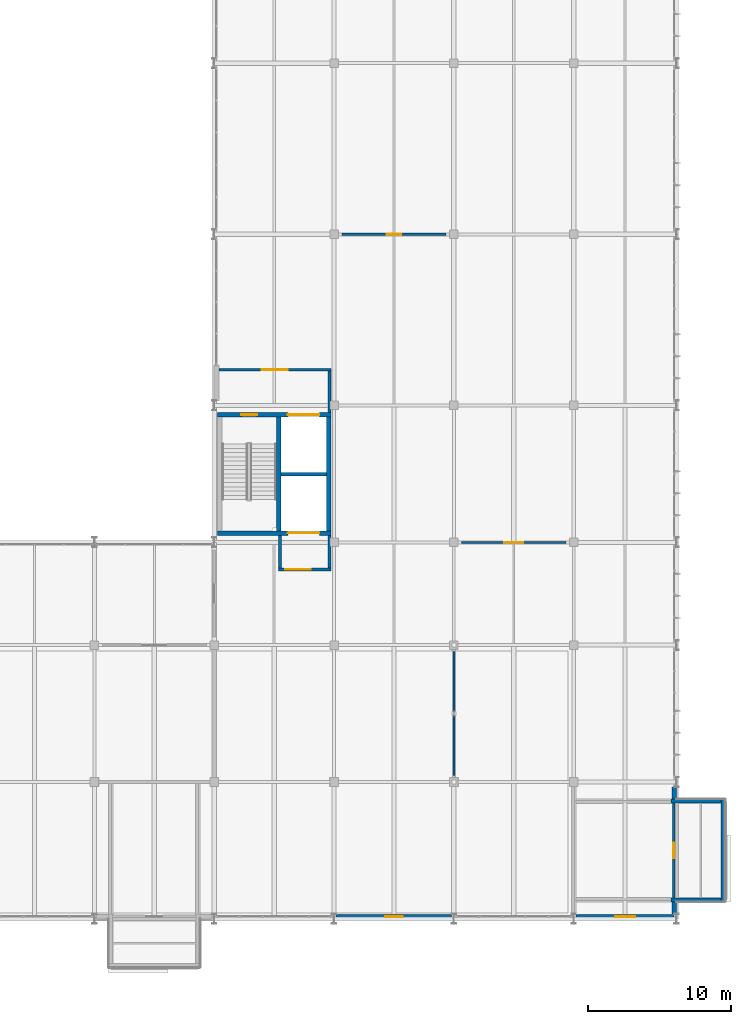
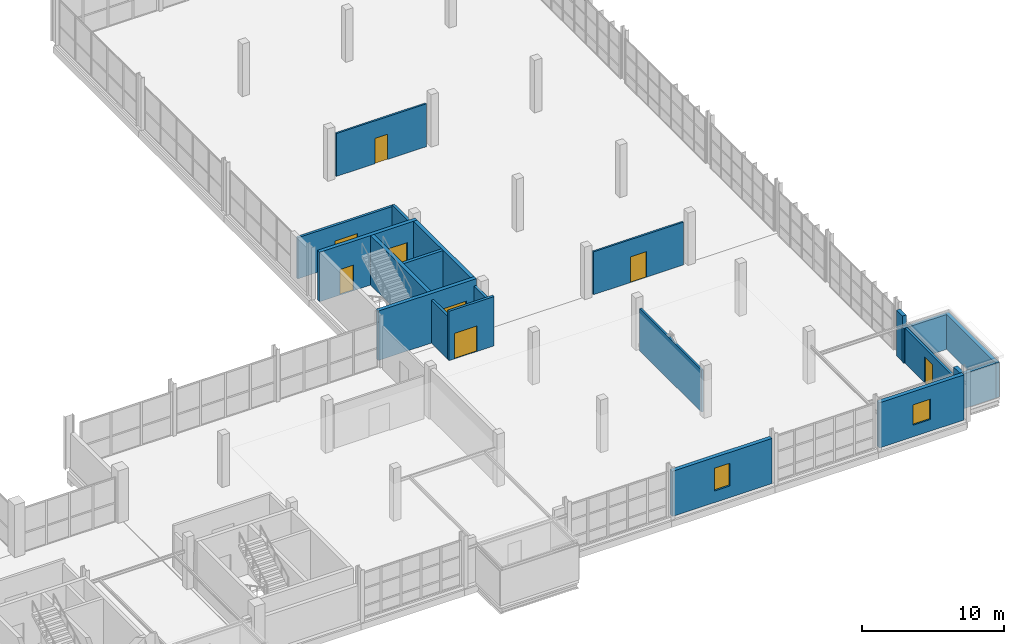
# One storey, part 103 of 113: 21 walls, 8 doors, 2 windows, 10 openings.
"""IFC4 building model written with IfcOpenShell, lengths in metres."""

import ifcopenshell
import ifcopenshell.guid

model = None  # the IFC model being written
_history = None  # IfcOwnerHistory: only IFC2X3 demands one
_inside = {}  # id of a spatial element -> (the spatial element, [elements in it])
_under = {}  # id of a project, library or spatial element -> (it, [spatial elements below it])
_declared = {}  # id of a project -> (the project, [libraries it declares])
_typed = {}  # id of a type object -> (the type object, [elements of that type])
_made_of = {}  # id of a material, layer set ... -> (it, [elements and type objects made of it])


def new_model(schema):
    """Start an empty IFC model of exactly this schema.

    Asked for "IFC4X3", IfcOpenShell would pick the latest addendum, in which some entities
    have other attributes; the version numbers below select the first issue.
    IFC2X3 requires an IfcOwnerHistory on every rooted entity: one is made here for all.
    """
    global model, _history
    if schema == "IFC4X3":
        model = ifcopenshell.file(schema_version=(4, 3, 0, 0))
    else:
        model = ifcopenshell.file(schema=schema)
    _inside.clear()
    _under.clear()
    _declared.clear()
    _typed.clear()
    _made_of.clear()
    _history = None
    if model.schema == "IFC2X3":
        org = make("IfcOrganization", Name="unknown")
        user = make(
            "IfcPersonAndOrganization",
            ThePerson=make("IfcPerson", FamilyName="unknown"),
            TheOrganization=org,
        )
        app = make(
            "IfcApplication",
            ApplicationDeveloper=org,
            Version="unknown",
            ApplicationFullName="unknown",
            ApplicationIdentifier="unknown",
        )
        _history = make(
            "IfcOwnerHistory",
            OwningUser=user,
            OwningApplication=app,
            ChangeAction="ADDED",
            CreationDate=0,
        )
    return model


def make(cls, **values):
    """One entity of the class cls with the attributes given. An attribute that is None is left unset."""
    return model.create_entity(
        cls, **{name: value for name, value in values.items() if value is not None}
    )


def rooted(cls, **values):
    """An entity with a GlobalId (a new one), such as an element, a storey or a relation."""
    return make(cls, GlobalId=ifcopenshell.guid.new(), OwnerHistory=_history, **values)


def si_unit(unit_type, name, prefix=None):
    """IfcSIUnit, for example si_unit("LENGTHUNIT", "METRE", prefix="MILLI")."""
    return make("IfcSIUnit", UnitType=unit_type, Prefix=prefix, Name=name)


def assignment(units):
    """IfcUnitAssignment: the units of a project."""
    return None if units is None else make("IfcUnitAssignment", Units=units)


def point(xyz):
    """IfcCartesianPoint."""
    return None if xyz is None else make("IfcCartesianPoint", Coordinates=xyz)


def direction(xyz):
    """IfcDirection."""
    return None if xyz is None else make("IfcDirection", DirectionRatios=xyz)


def frame(location, z_axis=None, x_axis=None):
    """IfcAxis2Placement3D, a coordinate frame: its origin and axes. An axis left out is left unset."""
    return make(
        "IfcAxis2Placement3D",
        Location=point(location),
        Axis=direction(z_axis),
        RefDirection=direction(x_axis),
    )


def frame_2d(location, x_axis=None):
    """IfcAxis2Placement2D, a coordinate frame in the plane: its origin and x axis."""
    return make(
        "IfcAxis2Placement2D", Location=point(location), RefDirection=direction(x_axis)
    )


def origin():
    """The frame at (0, 0, 0) with its axes left unset."""
    return frame((0.0, 0.0, 0.0))


def place(relative_to, where):
    """IfcLocalPlacement: puts the frame where relative to a parent placement (None: the world)."""
    return make(
        "IfcLocalPlacement", PlacementRelTo=relative_to, RelativePlacement=where
    )


def context(
    kind, dimensions, precision=None, world=None, true_north=None, identifier=None
):
    """IfcGeometricRepresentationContext, for example the 3D "Model" context."""
    return make(
        "IfcGeometricRepresentationContext",
        ContextIdentifier=identifier,
        ContextType=kind,
        CoordinateSpaceDimension=dimensions,
        Precision=precision,
        WorldCoordinateSystem=world,
        TrueNorth=true_north,
    )


def subcontext(parent, identifier, kind, view, scale=None):
    """IfcGeometricRepresentationSubContext, for example "Body" below "Model"."""
    return make(
        "IfcGeometricRepresentationSubContext",
        ContextIdentifier=identifier,
        ContextType=kind,
        ParentContext=parent,
        TargetScale=scale,
        TargetView=view,
    )


def project(units=None, contexts=None):
    """IfcProject with its units and contexts."""
    return rooted(
        "IfcProject",
        Name="project",
        RepresentationContexts=contexts,
        UnitsInContext=assignment(units),
    )


def spatial(cls, under=None, at=None, **own):
    """A site, building, storey or space (cls), placed at a placement, below another one or the project."""
    s = rooted(cls, ObjectPlacement=at, **own)
    if under is not None:
        _under.setdefault(under.id(), (under, []))[1].append(s)
    return s


def profile(cls, at=None, kind="AREA", **sizes):
    """A parametric profile (cls). Its sizes go by their IFC names, for example OverallWidth=200.0."""
    return make(cls, ProfileType=kind, Position=at, **sizes)


def rectangle(**sizes):
    """IfcRectangleProfileDef."""
    return profile("IfcRectangleProfileDef", **sizes)


def extrude(swept, where, along, depth):
    """IfcExtrudedAreaSolid: the profile swept, set in the frame where, extruded along a direction by depth."""
    return make(
        "IfcExtrudedAreaSolid",
        SweptArea=swept,
        Position=where,
        ExtrudedDirection=direction(along),
        Depth=depth,
    )


def shape(context_of_items, identifier, shape_type, items):
    """IfcShapeRepresentation: the items that make up one representation, for example the "Body"."""
    return make(
        "IfcShapeRepresentation",
        ContextOfItems=context_of_items,
        RepresentationIdentifier=identifier,
        RepresentationType=shape_type,
        Items=items,
    )


def material(Name=None, Category=None):
    """IfcMaterial."""
    return make("IfcMaterial", Name=Name, Category=Category)


def layer(
    of_material, thickness, ventilated=None, Name=None, Category=None, Priority=None
):
    """IfcMaterialLayer: one layer of a wall or slab, of a material (None: an air gap)."""
    return make(
        "IfcMaterialLayer",
        Material=of_material,
        LayerThickness=thickness,
        IsVentilated=ventilated,
        Name=Name,
        Category=Category,
        Priority=Priority,
    )


def layer_set(layers, Name=None):
    """IfcMaterialLayerSet."""
    return make("IfcMaterialLayerSet", MaterialLayers=layers, LayerSetName=Name)


def made_of(thing, what):
    """Note that an element or type object is made of a material, layer set ...; save() writes the relation."""
    if what is not None:
        _made_of.setdefault(what.id(), (what, []))[1].append(thing)
    return thing


def type_object(cls, material=None, **own):
    """A type object (cls), such as IfcWallType, which elements share."""
    return made_of(rooted(cls, **own), material)


def element(
    cls,
    number,
    at=None,
    inside=None,
    cuts=None,
    type_object=None,
    material=None,
    context=None,
    identifier="Body",
    shape_type=None,
    held_by="IfcProductDefinitionShape",
    body=None,
    shapes=None,
    **own,
):
    """One element of the class cls, such as IfcWall. Its Tag is "e" and its number.

    at: its placement. inside: the storey or other place that contains it. cuts: it is an
    opening in that element (IfcRelVoidsElement). A single representation is given by context,
    identifier, shape_type and body (its items); several are given by shapes. held_by: the class
    of the entity that holds the representations. save() writes the other relations.
    """
    e = rooted(cls, Tag="e%d" % number, ObjectPlacement=at, **own)
    if body is not None:
        shapes = [shape(context, identifier, shape_type, body)]
    if shapes is not None:
        e.Representation = make(held_by, Representations=shapes)
    if inside is not None:
        _inside.setdefault(inside.id(), (inside, []))[1].append(e)
    if cuts is not None:
        rooted(
            "IfcRelVoidsElement", RelatingBuildingElement=cuts, RelatedOpeningElement=e
        )
    if type_object is not None:
        _typed.setdefault(type_object.id(), (type_object, []))[1].append(e)
    return made_of(e, material)


def fill(opening, filler):
    """IfcRelFillsElement: the door or window that sits in an opening."""
    return rooted(
        "IfcRelFillsElement",
        RelatingOpeningElement=opening,
        RelatedBuildingElement=filler,
    )


def aggregate(whole, parts):
    """IfcRelAggregates: a whole, such as a stair, and the parts it consists of."""
    return rooted("IfcRelAggregates", RelatingObject=whole, RelatedObjects=parts)


def save(model, path):
    """Write the relations noted so far, then the file.

    IfcRelAggregates (storeys below a building ...), IfcRelContainedInSpatialStructure (elements
    in a storey), IfcRelDefinesByType, IfcRelAssociatesMaterial and IfcRelDeclares: one each for
    every whole, place, type object, material and project.
    """
    for whole, parts in _under.values():
        aggregate(whole, parts)
    for where, things in _inside.values():
        rooted(
            "IfcRelContainedInSpatialStructure",
            RelatedElements=things,
            RelatingStructure=where,
        )
    for kind, things in _typed.values():
        rooted("IfcRelDefinesByType", RelatedObjects=things, RelatingType=kind)
    for what, things in _made_of.values():
        rooted("IfcRelAssociatesMaterial", RelatedObjects=things, RelatingMaterial=what)
    for by, libraries in _declared.values():
        rooted("IfcRelDeclares", RelatingContext=by, RelatedDefinitions=libraries)
    model.write(path)


model = new_model("IFC4")

# Units and contexts
model_context = context("Model", 3, precision=1e-05, world=origin(), true_north=direction((0.0, 1.0)))
body_context = subcontext(model_context, "Body", "Model", "MODEL_VIEW")
ifc_project = project(units=[si_unit("LENGTHUNIT", "METRE"), si_unit("AREAUNIT", "SQUARE_METRE"), si_unit("VOLUMEUNIT", "CUBIC_METRE"), si_unit("PLANEANGLEUNIT", "RADIAN"), si_unit("MASSUNIT", "GRAM", prefix="KILO")], contexts=[model_context])

# Site, building, storey
site_placement = place(None, origin())
site = spatial("IfcSite", under=ifc_project, at=site_placement, CompositionType="ELEMENT")
building_placement = place(site_placement, origin())
building = spatial("IfcBuilding", under=site, at=building_placement, Name="Veltarok Museum of Natural Sciences", CompositionType="ELEMENT")
storey_placement = place(building_placement, frame((0.0, 0.0, 8.39990234375)))
storey = spatial("IfcBuildingStorey", under=building, at=storey_placement, Name="L01", CompositionType="ELEMENT", Elevation=8.39990234375)

# Walls
ifc_material_1 = material(Name="Precast concrete C40/50", Category="concrete")
ifc_layer_1 = layer(ifc_material_1, 0.280029296875)
ifc_layer_set_1 = layer_set([ifc_layer_1], Name="Precast concrete C40/50")
wall_type_1 = type_object("IfcWallType", Name="Cabinet Box Insulated Backup Wall 280", PredefinedType="SOLIDWALL", material=ifc_layer_set_1)
wall_1_placement = place(storey_placement, frame((168.06005859375, 1.199951171875, 0.0), z_axis=(0.0, 0.0, 1.0), x_axis=(0.0, 1.0, 0.0)))
element("IfcWall", 1, at=wall_1_placement, inside=storey, type_object=wall_type_1, Name="Cabinet Box Wall DB-30-E", PredefinedType="SOLIDWALL", context=body_context, shape_type="SweptSolid", body=[
    extrude(rectangle(XDim=7.199951171875, YDim=0.280029296875, at=frame_2d((3.60009765625, 0.0))), origin(), (0.0, 0.0, 1.0), 2.989990234375),
])
for number, where, z_axis, x_axis, name in (
    (2, (164.43994140625, 1.340087890625, 0.0), (0.0, 0.0, 1.0), (1.0, 0.0, 0.0), "Cabinet Box Wall DB-30-S"),
    (3, (167.919921875, 8.260009765625, 0.0), (0.0, 0.0, 1.0), (-1.0, 0.0, 0.0), "Cabinet Box Wall DB-30-N"),
):
    element("IfcWall", number, at=place(storey_placement, frame(where, z_axis=z_axis, x_axis=x_axis)), inside=storey, type_object=wall_type_1, Name=name, PredefinedType="SOLIDWALL", context=body_context, shape_type="SweptSolid", body=[
        extrude(rectangle(XDim=3.47998046875, YDim=0.280029296875, at=frame_2d((1.739990234375, 0.0))), origin(), (0.0, 0.0, 1.0), 2.989990234375),
    ])
ifc_material_2 = material(Name="Acoustic gypsum and mineral wool")
ifc_layer_2 = layer(ifc_material_2, 0.14990234375)
ifc_layer_set_2 = layer_set([ifc_layer_2], Name="Acoustic gypsum and mineral wool")
wall_type_2 = type_object("IfcWallType", Name="Conservation Laboratory Partition 150", PredefinedType="PARTITIONING", material=ifc_layer_set_2)
wall_2_placement = place(storey_placement, frame((149.199951171875, 10.050048828125, 0.0), z_axis=(0.0, 0.0, 1.0), x_axis=(0.0, 1.0, 0.0)))
element("IfcWall", 4, at=wall_2_placement, inside=storey, type_object=wall_type_2, Name="Braced Frame Enclosure Partition L01 18/B-C", PredefinedType="PARTITIONING", context=body_context, shape_type="SweptSolid", body=[
    extrude(rectangle(XDim=8.699951171875, YDim=0.14990234375, at=frame_2d((4.35009765625, 0.0))), origin(), (0.0, 0.0, 1.0), 3.632080078125),
])

# Wall, opening, door
wall_3_placement = place(storey_placement, frame((149.75, 26.39990234375, 0.0), z_axis=(0.0, 0.0, 1.0), x_axis=(1.0, 0.0, 0.0)))
wall_3 = element("IfcWall", 5, at=wall_3_placement, inside=storey, type_object=wall_type_2, Name="Interior Partition L01-034", PredefinedType="PARTITIONING", context=body_context, shape_type="SweptSolid", body=[
    extrude(rectangle(XDim=7.300048828125, YDim=0.14990234375, at=frame_2d((3.64990234375, 0.0))), origin(), (0.0, 0.0, 1.0), 3.68212890625),
])
opening_1_placement = place(wall_3_placement, frame((2.989990234375, 0.0, 0.0)))
opening_1 = element("IfcOpeningElement", 6, at=opening_1_placement, cuts=wall_3, Name="Opening D-L01-160", PredefinedType="OPENING", context=body_context, shape_type="SweptSolid", body=[
    extrude(rectangle(XDim=1.320068359375, YDim=2.199951171875, at=frame_2d((0.66015625, 1.10009765625))), frame((0.0, 0.0849609375, 0.0), z_axis=(0.0, -1.0, 0.0), x_axis=(1.0, 0.0, 0.0)), (0.0, 0.0, 1.0), 0.169921875),
])
ifc_material_3 = material(Name="HPL laboratory acoustic door")
door_type_1 = type_object("IfcDoorType", Name="Conservation Studio Door 1320x2200", OperationType="NOTDEFINED", PredefinedType="DOOR", material=ifc_material_3)
door_1_placement = place(opening_1_placement, origin())
door_1 = element("IfcDoor", 7, at=door_1_placement, inside=storey, type_object=door_type_1, Name="Interior Door D-L01-160", OperationType="SINGLE_SWING_LEFT", OverallHeight=2.199951171875, OverallWidth=1.320068359375, PredefinedType="DOOR", context=body_context, shape_type="SweptSolid", body=[
    extrude(rectangle(XDim=1.320068359375, YDim=2.199951171875, at=frame_2d((0.66015625, 1.10009765625))), frame((0.0, 0.02490234375, 0.0), z_axis=(0.0, -1.0, 0.0), x_axis=(1.0, 0.0, 0.0)), (0.0, 0.0, 1.0), 0.050048828125),
])
fill(opening_1, door_1)

wall_4_placement = place(storey_placement, frame((141.35009765625, 48.0, 0.0), z_axis=(0.0, 0.0, 1.0), x_axis=(1.0, 0.0, 0.0)))
wall_4 = element("IfcWall", 8, at=wall_4_placement, inside=storey, type_object=wall_type_2, Name="Interior Partition L01-036", PredefinedType="PARTITIONING", context=body_context, shape_type="SweptSolid", body=[
    extrude(rectangle(XDim=7.2998046875, YDim=0.14990234375, at=frame_2d((3.64990234375, 0.0))), origin(), (0.0, 0.0, 1.0), 3.68212890625),
])
opening_2_placement = place(wall_4_placement, frame((3.139892578125, 0.0, 0.0)))
opening_2 = element("IfcOpeningElement", 9, at=opening_2_placement, cuts=wall_4, Name="Opening D-L01-162", PredefinedType="OPENING", context=body_context, shape_type="SweptSolid", body=[
    extrude(rectangle(XDim=1.02001953125, YDim=2.179931640625, at=frame_2d((0.510009765625, 1.08984375))), frame((0.0, 0.0849609375, 0.0), z_axis=(0.0, -1.0, 0.0), x_axis=(1.0, 0.0, 0.0)), (0.0, 0.0, 1.0), 0.169921875),
])
ifc_material_4 = material(Name="Solid European oak")
door_type_2 = type_object("IfcDoorType", Name="Directorate Office Door 1020x2180", OperationType="NOTDEFINED", PredefinedType="DOOR", material=ifc_material_4)
door_2_placement = place(opening_2_placement, origin())
door_2 = element("IfcDoor", 10, at=door_2_placement, inside=storey, type_object=door_type_2, Name="Interior Door D-L01-162", OperationType="SINGLE_SWING_LEFT", OverallHeight=2.179931640625, OverallWidth=1.02001953125, PredefinedType="DOOR", context=body_context, shape_type="SweptSolid", body=[
    extrude(rectangle(XDim=1.02001953125, YDim=2.179931640625, at=frame_2d((0.510009765625, 1.08984375))), frame((0.0, 0.02490234375, 0.0), z_axis=(0.0, -1.0, 0.0), x_axis=(1.0, 0.0, 0.0)), (0.0, 0.0, 1.0), 0.050048828125),
])
fill(opening_2, door_2)

ifc_layer_3 = layer(ifc_material_2, 0.179931640625)
ifc_layer_set_3 = layer_set([ifc_layer_3], Name="Acoustic gypsum and mineral wool")
wall_type_3 = type_object("IfcWallType", Name="Exhibition Gallery Partition 180", PredefinedType="PARTITIONING", material=ifc_layer_set_3)
wall_5_placement = place(storey_placement, frame((164.6201171875, 1.47998046875, 0.0), z_axis=(0.0, 0.0, 1.0), x_axis=(0.0, 1.0, 0.0)))
wall_5 = element("IfcWall", 11, at=wall_5_placement, inside=storey, type_object=wall_type_3, Name="Cabinet Threshold Partition DB-30", PredefinedType="PARTITIONING", context=body_context, shape_type="SweptSolid", body=[
    extrude(rectangle(XDim=6.64013671875, YDim=0.179931640625, at=frame_2d((3.320068359375, 0.0))), origin(), (0.0, 0.0, 1.0), 2.989990234375),
])
opening_3_placement = place(wall_5_placement, frame((2.77001953125, 0.0, 0.0)))
opening_3 = element("IfcOpeningElement", 12, at=opening_3_placement, cuts=wall_5, Name="Opening D-L01-101", PredefinedType="OPENING", context=body_context, shape_type="SweptSolid", body=[
    extrude(rectangle(XDim=1.10009765625, YDim=2.199951171875, at=frame_2d((0.550048828125, 1.10009765625))), frame((0.0, 0.10009765625, 0.0), z_axis=(0.0, -1.0, 0.0), x_axis=(1.0, 0.0, 0.0)), (0.0, 0.0, 1.0), 0.199951171875),
])
ifc_material_5 = material(Name="Airtight powder-coated steel", Category="steel")
door_type_3 = type_object("IfcDoorType", Name="Cabinet Box Conservation Door 1100x2200", OperationType="NOTDEFINED", PredefinedType="DOOR", material=ifc_material_5)
door_3_placement = place(opening_3_placement, origin())
door_3 = element("IfcDoor", 13, at=door_3_placement, inside=storey, type_object=door_type_3, Name="Cabinet Conservation Door DB-30", OperationType="SINGLE_SWING_LEFT", OverallHeight=2.199951171875, OverallWidth=1.10009765625, PredefinedType="DOOR", context=body_context, shape_type="SweptSolid", body=[
    extrude(rectangle(XDim=1.10009765625, YDim=2.199951171875, at=frame_2d((0.550048828125, 1.10009765625))), frame((0.0, 0.02490234375, 0.0), z_axis=(0.0, -1.0, 0.0), x_axis=(1.0, 0.0, 0.0)), (0.0, 0.0, 1.0), 0.050048828125),
])
fill(opening_3, door_3)

ifc_material_6 = material(Name="Concrete C35/45", Category="concrete")
ifc_layer_4 = layer(ifc_material_6, 0.199951171875)
ifc_layer_set_4 = layer_set([ifc_layer_4], Name="Concrete C35/45")
wall_type_4 = type_object("IfcWallType", Name="Firefighting Lobby Compartment Wall 200", PredefinedType="SOLIDWALL", material=ifc_layer_set_4)
wall_6_placement = place(storey_placement, frame((132.719970703125, 38.5, 0.0), z_axis=(0.0, 0.0, 1.0), x_axis=(1.0, 0.0, 0.0)))
wall_6 = element("IfcWall", 14, at=wall_6_placement, inside=storey, type_object=wall_type_4, Name="Firefighting Lobby Wall C5 L01 N", PredefinedType="SOLIDWALL", context=body_context, shape_type="SweptSolid", body=[
    extrude(rectangle(XDim=7.85009765625, YDim=0.199951171875, at=frame_2d((3.925048828125, 0.0))), origin(), (0.0, 0.0, 1.0), 3.531982421875),
])
opening_4_placement = place(wall_6_placement, frame((3.02490234375, 0.0, 0.0)))
opening_4 = element("IfcOpeningElement", 15, at=opening_4_placement, cuts=wall_6, Name="Opening D-L01-033", PredefinedType="OPENING", context=body_context, shape_type="SweptSolid", body=[
    extrude(rectangle(XDim=1.800048828125, YDim=2.199951171875, at=frame_2d((0.89990234375, 1.10009765625))), frame((0.0, 0.10986328125, 0.0), z_axis=(0.0, -1.0, 0.0), x_axis=(1.0, 0.0, 0.0)), (0.0, 0.0, 1.0), 0.219970703125),
])
ifc_material_7 = material(Name="Fire-rated steel and vision glass", Category="steel")
door_type_4 = type_object("IfcDoorType", Name="Fire Lobby Double Door 1800x2200", OperationType="NOTDEFINED", PredefinedType="DOOR", material=ifc_material_7)
door_4_placement = place(opening_4_placement, origin())
door_4 = element("IfcDoor", 16, at=door_4_placement, inside=storey, type_object=door_type_4, Name="Firefighting Lobby Entrance Door C5 L01", OperationType="DOUBLE_DOOR_SINGLE_SWING", OverallHeight=2.199951171875, OverallWidth=1.800048828125, PredefinedType="DOOR", context=body_context, shape_type="SweptSolid", body=[
    extrude(rectangle(XDim=1.800048828125, YDim=2.199951171875, at=frame_2d((0.89990234375, 1.10009765625))), frame((0.0, 0.02490234375, 0.0), z_axis=(0.0, -1.0, 0.0), x_axis=(1.0, 0.0, 0.0)), (0.0, 0.0, 1.0), 0.050048828125),
])
fill(opening_4, door_4)

# Wall
wall_7_placement = place(storey_placement, frame((140.469970703125, 38.39990234375, 0.0), z_axis=(0.0, 0.0, 1.0), x_axis=(0.0, -1.0, 0.0)))
element("IfcWall", 17, at=wall_7_placement, inside=storey, type_object=wall_type_4, Name="Firefighting Lobby Wall C5 L01 E", PredefinedType="SOLIDWALL", context=body_context, shape_type="SweptSolid", body=[
    extrude(rectangle(XDim=2.89990234375, YDim=0.199951171875, at=frame_2d((1.449951171875, 0.0))), origin(), (0.0, 0.0, 1.0), 3.68212890625),
])

# Wall, opening, door
wall_8_placement = place(storey_placement, frame((140.570068359375, 24.5, 0.0), z_axis=(0.0, 0.0, 1.0), x_axis=(-1.0, 0.0, 0.0)))
wall_8 = element("IfcWall", 18, at=wall_8_placement, inside=storey, type_object=wall_type_4, Name="South Freight Lift Lobby Wall C5S L01 S", PredefinedType="SOLIDWALL", context=body_context, shape_type="SweptSolid", body=[
    extrude(rectangle(XDim=3.650146484375, YDim=0.199951171875, at=frame_2d((1.8251953125, 0.0))), origin(), (0.0, 0.0, 1.0), 4.235107421875),
])
opening_5_placement = place(wall_8_placement, frame((1.39990234375, 0.0, 0.0)))
opening_5 = element("IfcOpeningElement", 19, at=opening_5_placement, cuts=wall_8, Name="Opening D-L01-034", PredefinedType="OPENING", context=body_context, shape_type="SweptSolid", body=[
    extrude(rectangle(XDim=1.800048828125, YDim=2.199951171875, at=frame_2d((0.89990234375, 1.10009765625))), frame((0.0, 0.10986328125, 0.0), z_axis=(0.0, -1.0, 0.0), x_axis=(1.0, 0.0, 0.0)), (0.0, 0.0, 1.0), 0.219970703125),
])
door_5_placement = place(opening_5_placement, origin())
door_5 = element("IfcDoor", 20, at=door_5_placement, inside=storey, type_object=door_type_4, Name="Freight Lift Lobby Door C5S L01", OperationType="DOUBLE_DOOR_SINGLE_SWING", OverallHeight=2.199951171875, OverallWidth=1.800048828125, PredefinedType="DOOR", context=body_context, shape_type="SweptSolid", body=[
    extrude(rectangle(XDim=1.800048828125, YDim=2.199951171875, at=frame_2d((0.89990234375, 1.10009765625))), frame((0.0, 0.02490234375, 0.0), z_axis=(0.0, -1.0, 0.0), x_axis=(1.0, 0.0, 0.0)), (0.0, 0.0, 1.0), 0.050048828125),
])
fill(opening_5, door_5)

# Walls
for number, where, z_axis, x_axis, name in (
    (21, (137.02001953125, 24.60009765625, 0.0), (0.0, 0.0, 1.0), (0.0, 1.0, 0.0), "South Freight Lift Lobby Wall C5S L01 W"),
    (22, (140.469970703125, 26.89990234375, 0.0), (0.0, 0.0, 1.0), (0.0, -1.0, 0.0), "South Freight Lift Lobby Wall C5S L01 E"),
):
    element("IfcWall", number, at=place(storey_placement, frame(where, z_axis=z_axis, x_axis=x_axis)), inside=storey, type_object=wall_type_4, Name=name, PredefinedType="SOLIDWALL", context=body_context, shape_type="SweptSolid", body=[
        extrude(rectangle(XDim=2.2998046875, YDim=0.199951171875, at=frame_2d((1.14990234375, 0.0))), origin(), (0.0, 0.0, 1.0), 3.68212890625),
    ])

# Wall, opening, window
ifc_layer_5 = layer(ifc_material_1, 0.320068359375)
ifc_layer_set_5 = layer_set([ifc_layer_5], Name="Precast concrete C40/50")
wall_type_5 = type_object("IfcWallType", Name="Insulated Precast Facade Wall 320", PredefinedType="SOLIDWALL", material=ifc_layer_set_5)
wall_9_placement = place(storey_placement, frame((140.949951171875, 0.159912109375, 0.0), z_axis=(0.0, 0.0, 1.0), x_axis=(1.0, 0.0, 0.0)))
wall_9 = element("IfcWall", 23, at=wall_9_placement, inside=storey, type_object=wall_type_5, Name="V5 South Lab Facade Wall L01 17-18", PredefinedType="SOLIDWALL", context=body_context, shape_type="SweptSolid", body=[
    extrude(rectangle(XDim=8.10009765625, YDim=0.320068359375, at=frame_2d((4.050048828125, 0.0))), origin(), (0.0, 0.0, 1.0), 3.880126953125),
])
opening_6_placement = place(wall_9_placement, frame((3.425048828125, 0.0, 1.0)))
opening_6 = element("IfcOpeningElement", 24, at=opening_6_placement, cuts=wall_9, Name="Opening W-L01-017", PredefinedType="OPENING", context=body_context, shape_type="SweptSolid", body=[
    extrude(rectangle(XDim=1.25, YDim=1.949951171875, at=frame_2d((0.625, 0.97509765625))), frame((0.0, 0.169921875, 0.0), z_axis=(0.0, -1.0, 0.0), x_axis=(1.0, 0.0, 0.0)), (0.0, 0.0, 1.0), 0.340087890625),
])
ifc_material_8 = material(Name="Low-iron triple insulated glass", Category="glass")
window_type_1 = type_object("IfcWindowType", Name="Herbarium UV-Filtered Window 1250x1950", PartitioningType="SINGLE_PANEL", PredefinedType="WINDOW", material=ifc_material_8)
window_1_placement = place(opening_6_placement, origin())
window_1 = element("IfcWindow", 25, at=window_1_placement, inside=storey, type_object=window_type_1, Name="Lab Window L01 17-18", OverallHeight=1.949951171875, OverallWidth=1.25, PartitioningType="SINGLE_PANEL", PredefinedType="WINDOW", context=body_context, shape_type="SweptSolid", body=[
    extrude(rectangle(XDim=1.25, YDim=1.949951171875, at=frame_2d((0.625, 0.97509765625))), frame((0.0, 0.030029296875, 0.0), z_axis=(0.0, -1.0, 0.0), x_axis=(1.0, 0.0, 0.0)), (0.0, 0.0, 1.0), 0.06005859375),
])
fill(opening_6, window_1)

wall_10_placement = place(storey_placement, frame((157.75, 0.159912109375, 0.0), z_axis=(0.0, 0.0, 1.0), x_axis=(1.0, 0.0, 0.0)))
wall_10 = element("IfcWall", 26, at=wall_10_placement, inside=storey, type_object=wall_type_5, Name="V5 South Lab Facade Wall L01 19-20", PredefinedType="SOLIDWALL", context=body_context, shape_type="SweptSolid", body=[
    extrude(rectangle(XDim=6.89990234375, YDim=0.320068359375, at=frame_2d((3.449951171875, 0.0))), origin(), (0.0, 0.0, 1.0), 3.880126953125),
])
opening_7_placement = place(wall_10_placement, frame((2.75, 0.0, 1.0)))
opening_7 = element("IfcOpeningElement", 27, at=opening_7_placement, cuts=wall_10, Name="Opening W-L01-018", PredefinedType="OPENING", context=body_context, shape_type="SweptSolid", body=[
    extrude(rectangle(XDim=1.39990234375, YDim=1.75, at=frame_2d((0.699951171875, 0.875))), frame((0.0, 0.169921875, 0.0), z_axis=(0.0, -1.0, 0.0), x_axis=(1.0, 0.0, 0.0)), (0.0, 0.0, 1.0), 0.340087890625),
])
window_type_2 = type_object("IfcWindowType", Name="Directorate Office Window 1400x1750", PartitioningType="SINGLE_PANEL", PredefinedType="WINDOW", material=ifc_material_8)
window_2_placement = place(opening_7_placement, origin())
window_2 = element("IfcWindow", 28, at=window_2_placement, inside=storey, type_object=window_type_2, Name="Lab Window L01 19-20", OverallHeight=1.75, OverallWidth=1.39990234375, PartitioningType="SINGLE_PANEL", PredefinedType="WINDOW", context=body_context, shape_type="SweptSolid", body=[
    extrude(rectangle(XDim=1.39990234375, YDim=1.75, at=frame_2d((0.699951171875, 0.875))), frame((0.0, 0.030029296875, 0.0), z_axis=(0.0, -1.0, 0.0), x_axis=(1.0, 0.0, 0.0)), (0.0, 0.0, 1.0), 0.06005859375),
])
fill(opening_7, window_2)

# Walls
wall_11_placement = place(storey_placement, frame((164.639892578125, 0.35009765625, 0.0), z_axis=(0.0, 0.0, 1.0), x_axis=(0.0, 1.0, 0.0)))
element("IfcWall", 29, at=wall_11_placement, inside=storey, type_object=wall_type_5, Name="East Cabinet Collar Wall L01 A-BS", PredefinedType="SOLIDWALL", context=body_context, shape_type="SweptSolid", body=[
    extrude(rectangle(XDim=0.849853515625, YDim=0.320068359375, at=frame_2d((0.4248046875, 0.0))), origin(), (0.0, 0.0, 1.0), 3.880126953125),
])
wall_12_placement = place(storey_placement, frame((164.639892578125, 8.39990234375, 0.0), z_axis=(0.0, 0.0, 1.0), x_axis=(0.0, 1.0, 0.0)))
element("IfcWall", 30, at=wall_12_placement, inside=storey, type_object=wall_type_5, Name="East Cabinet Collar Wall L01 A-BN", PredefinedType="SOLIDWALL", context=body_context, shape_type="SweptSolid", body=[
    extrude(rectangle(XDim=0.85009765625, YDim=0.320068359375, at=frame_2d((0.425048828125, 0.0))), origin(), (0.0, 0.0, 1.0), 3.880126953125),
])
ifc_material_9 = material(Name="Concrete C40/50", Category="concrete")
ifc_layer_6 = layer(ifc_material_9, 0.25)
ifc_layer_set_6 = layer_set([ifc_layer_6], Name="Concrete C40/50")
wall_type_6 = type_object("IfcWallType", Name="Lift Shaft Concrete Shear Wall 250", PredefinedType="SHEAR", material=ifc_layer_set_6)
wall_13_placement = place(storey_placement, frame((137.070068359375, 31.175048828125, 0.0), z_axis=(0.0, 0.0, 1.0), x_axis=(1.0, 0.0, 0.0)))
element("IfcWall", 31, at=wall_13_placement, inside=storey, type_object=wall_type_6, Name="Lift Shaft Divider Wall C5 L01", PredefinedType="SHEAR", context=body_context, shape_type="SweptSolid", body=[
    extrude(rectangle(XDim=3.199951171875, YDim=0.25, at=frame_2d((1.60009765625, 0.0))), origin(), (0.0, 0.0, 1.0), 4.25),
])

# Wall, opening, door
ifc_layer_7 = layer(ifc_material_9, 0.300048828125)
ifc_layer_set_7 = layer_set([ifc_layer_7], Name="Concrete C40/50")
wall_type_7 = type_object("IfcWallType", Name="Protected Core Shear Wall 300", PredefinedType="SHEAR", material=ifc_layer_set_7)
wall_14_placement = place(storey_placement, frame((132.6298828125, 27.050048828125, 0.0), z_axis=(0.0, 0.0, 1.0), x_axis=(1.0, 0.0, 0.0)))
wall_14 = element("IfcWall", 32, at=wall_14_placement, inside=storey, type_object=wall_type_7, Name="Core Shear Wall C5 L01 S", PredefinedType="SHEAR", context=body_context, shape_type="SweptSolid", body=[
    extrude(rectangle(XDim=7.940185546875, YDim=0.300048828125, at=frame_2d((3.97021484375, 0.0))), origin(), (0.0, 0.0, 1.0), 4.25),
])
opening_8_placement = place(wall_14_placement, frame((4.93994140625, 0.0, 0.0)))
opening_8 = element("IfcOpeningElement", 33, at=opening_8_placement, cuts=wall_14, Name="Opening LD-L01-GL-01", PredefinedType="OPENING", context=body_context, shape_type="SweptSolid", body=[
    extrude(rectangle(XDim=2.199951171875, YDim=2.60009765625, at=frame_2d((1.10009765625, 1.300048828125))), frame((0.0, 0.16015625, 0.0), z_axis=(0.0, -1.0, 0.0), x_axis=(1.0, 0.0, 0.0)), (0.0, 0.0, 1.0), 0.320068359375),
])
ifc_material_10 = material(Name="Heavy stainless steel", Category="steel")
door_type_5 = type_object("IfcDoorType", Name="Art Freight Lift Bi-Parting Landing Door 2200x2600", OperationType="SLIDING_TO_LEFT", PredefinedType="DOOR", material=ifc_material_10)
door_6_placement = place(opening_8_placement, origin())
door_6 = element("IfcDoor", 34, at=door_6_placement, inside=storey, type_object=door_type_5, Name="Sliding Lift Landing Door LD-L01-GL-01", OperationType="SLIDING_TO_LEFT", OverallHeight=2.60009765625, OverallWidth=2.199951171875, PredefinedType="DOOR", context=body_context, shape_type="SweptSolid", body=[
    extrude(rectangle(XDim=2.199951171875, YDim=2.60009765625, at=frame_2d((1.10009765625, 1.300048828125))), frame((0.0, 0.02490234375, 0.0), z_axis=(0.0, -1.0, 0.0), x_axis=(1.0, 0.0, 0.0)), (0.0, 0.0, 1.0), 0.050048828125),
])
fill(opening_8, door_6)

# Wall, openings, doors
wall_15_placement = place(storey_placement, frame((140.570068359375, 35.35009765625, 0.0), z_axis=(0.0, 0.0, 1.0), x_axis=(-1.0, 0.0, 0.0)))
wall_15 = element("IfcWall", 35, at=wall_15_placement, inside=storey, type_object=wall_type_7, Name="Core Shear Wall C5 L01 N", PredefinedType="SHEAR", context=body_context, shape_type="SweptSolid", body=[
    extrude(rectangle(XDim=7.940185546875, YDim=0.300048828125, at=frame_2d((3.97021484375, 0.0))), origin(), (0.0, 0.0, 1.0), 4.25),
])
opening_9_placement = place(wall_15_placement, frame((5.169921875, 0.0, 0.0)))
opening_9 = element("IfcOpeningElement", 36, at=opening_9_placement, cuts=wall_15, Name="Opening D-L01-032", PredefinedType="OPENING", context=body_context, shape_type="SweptSolid", body=[
    extrude(rectangle(XDim=1.10009765625, YDim=2.199951171875, at=frame_2d((0.550048828125, 1.10009765625))), frame((0.0, 0.16015625, 0.0), z_axis=(0.0, -1.0, 0.0), x_axis=(1.0, 0.0, 0.0)), (0.0, 0.0, 1.0), 0.320068359375),
])
opening_10_placement = place(wall_15_placement, frame((0.800048828125, 0.0, 0.0)))
opening_10 = element("IfcOpeningElement", 37, at=opening_10_placement, cuts=wall_15, Name="Opening LD-L01-GL-02", PredefinedType="OPENING", context=body_context, shape_type="SweptSolid", body=[
    extrude(rectangle(XDim=2.199951171875, YDim=2.60009765625, at=frame_2d((1.10009765625, 1.300048828125))), frame((0.0, 0.16015625, 0.0), z_axis=(0.0, -1.0, 0.0), x_axis=(1.0, 0.0, 0.0)), (0.0, 0.0, 1.0), 0.320068359375),
])
door_7_placement = place(opening_10_placement, origin())
door_7 = element("IfcDoor", 38, at=door_7_placement, inside=storey, type_object=door_type_5, Name="Sliding Lift Landing Door LD-L01-GL-02", OperationType="SLIDING_TO_LEFT", OverallHeight=2.60009765625, OverallWidth=2.199951171875, PredefinedType="DOOR", context=body_context, shape_type="SweptSolid", body=[
    extrude(rectangle(XDim=2.199951171875, YDim=2.60009765625, at=frame_2d((1.10009765625, 1.300048828125))), frame((0.0, 0.02490234375, 0.0), z_axis=(0.0, -1.0, 0.0), x_axis=(1.0, 0.0, 0.0)), (0.0, 0.0, 1.0), 0.050048828125),
])
fill(opening_10, door_7)
ifc_material_11 = material(Name="Fire-rated painted steel", Category="steel")
door_type_6 = type_object("IfcDoorType", Name="Fire Core Single Escape Door 1100x2200", OperationType="NOTDEFINED", PredefinedType="DOOR", material=ifc_material_11)
door_8_placement = place(opening_9_placement, origin())
door_8 = element("IfcDoor", 39, at=door_8_placement, inside=storey, type_object=door_type_6, Name="Protected Stair Door ST-05 L01", OperationType="SINGLE_SWING_RIGHT", OverallHeight=2.199951171875, OverallWidth=1.10009765625, PredefinedType="DOOR", context=body_context, shape_type="SweptSolid", body=[
    extrude(rectangle(XDim=1.10009765625, YDim=2.199951171875, at=frame_2d((0.550048828125, 1.10009765625))), frame((0.0, 0.02490234375, 0.0), z_axis=(0.0, -1.0, 0.0), x_axis=(1.0, 0.0, 0.0)), (0.0, 0.0, 1.0), 0.050048828125),
])
fill(opening_9, door_8)

# Walls
for number, where, z_axis, x_axis, name in (
    (40, (140.419921875, 27.199951171875, 0.0), (0.0, 0.0, 1.0), (0.0, 1.0, 0.0), "Core Shear Wall C5 L01 E"),
    (41, (136.919921875, 27.199951171875, 0.0), (0.0, 0.0, 1.0), (0.0, 1.0, 0.0), "Core Shear Wall C5 L01 DIV"),
):
    element("IfcWall", number, at=place(storey_placement, frame(where, z_axis=z_axis, x_axis=x_axis)), inside=storey, type_object=wall_type_7, Name=name, PredefinedType="SHEAR", context=body_context, shape_type="SweptSolid", body=[
        extrude(rectangle(XDim=8.0, YDim=0.300048828125, at=frame_2d((4.0, 0.0))), origin(), (0.0, 0.0, 1.0), 4.25),
    ])

save(model, "model.ifc")
